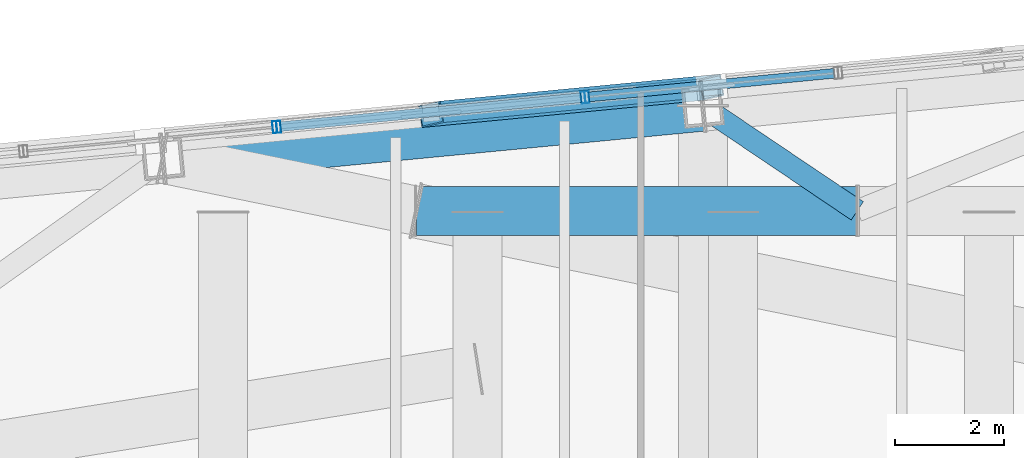
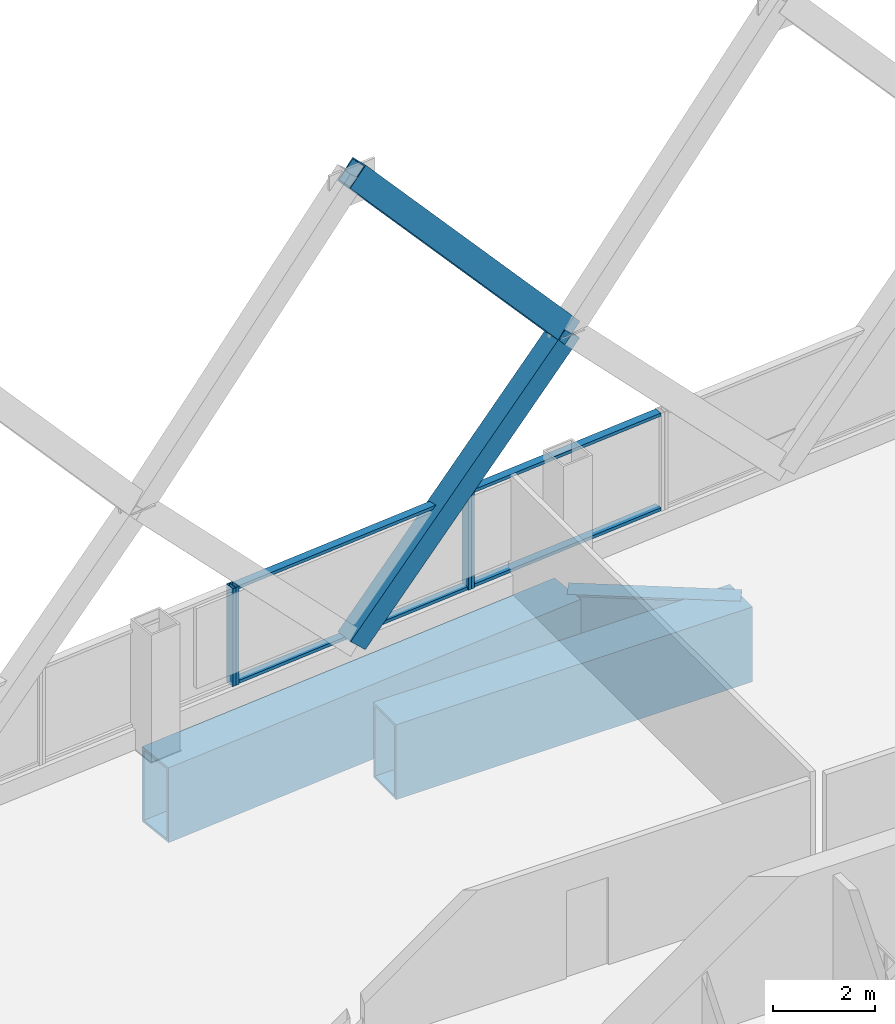
# One storey, part 24 of 37: 10 members, 3 beams, 3 elements without a shape of their own.
"""IFC4 building model written with IfcOpenShell, lengths in metres."""

from ifc_helpers import new_model, si_unit, direction, frame, origin, origin_2d, place, context, subcontext, project, spatial, hollow_rectangle, i_section, extrude, material, layer, layer_set, material_profile, profile_set, type_object, element, aggregate, save


model = new_model("IFC4")

# Units and contexts
model_context = context("Model", 3, precision=1e-05, world=origin(), true_north=direction((0.0, 1.0)))
body_context = subcontext(model_context, "Body", "Model", "MODEL_VIEW")
ifc_project = project(units=[si_unit("LENGTHUNIT", "METRE"), si_unit("AREAUNIT", "SQUARE_METRE"), si_unit("VOLUMEUNIT", "CUBIC_METRE"), si_unit("PLANEANGLEUNIT", "RADIAN"), si_unit("MASSUNIT", "GRAM", prefix="KILO")], contexts=[model_context])

# Site, building, storey
site_placement = place(None, origin())
site = spatial("IfcSite", under=ifc_project, at=site_placement, CompositionType="ELEMENT")
building_placement = place(site_placement, origin())
building = spatial("IfcBuilding", under=site, at=building_placement, Name="Qhalaya Broadcast Tower", CompositionType="ELEMENT")
storey_placement = place(building_placement, frame((0.0, 0.0, 156.14990234375)))
storey = spatial("IfcBuildingStorey", under=building, at=storey_placement, Name="L45", CompositionType="ELEMENT", Elevation=156.14990234375)

# Beams
ifc_material_1 = material(Name="Structural Steel ASTM A572 Grade 50", Category="steel")
ifc_material_profile_1 = material_profile(ifc_material_1, hollow_rectangle(XDim=0.89990234375, YDim=1.800048828125, WallThickness=0.06005859375, at=origin_2d()), Name="BOX 900x1800x60")
ifc_profile_set_1 = profile_set([ifc_material_profile_1], Name="Structural Steel ASTM A572 Grade 50")
beam_type_1 = type_object("IfcBeamType", Name="Block Cantilever Transfer Box Girder TG1", PredefinedType="USERDEFINED", material=ifc_profile_set_1)
beam_1_placement = place(storey_placement, frame((-0.558837890625, 24.572509765625, -1.119873046875), z_axis=(-0.995395510024, -0.095852900965, 0.0), x_axis=(0.095852900965, -0.995395510024, 0.0)))
element("IfcBeam", 1, at=beam_1_placement, inside=storey, type_object=beam_type_1, Name="L45 TG1 L45-SPR-10", ObjectType="GIRDER", PredefinedType="USERDEFINED", context=body_context, shape_type="SweptSolid", body=[
    extrude(hollow_rectangle(XDim=0.89990234375, YDim=1.800048828125, WallThickness=0.06005859375, at=origin_2d()), origin(), (0.0, 0.0, 1.0), 9.966552734375),
])
beam_2_placement = place(storey_placement, frame((2.280029296875, 22.659912109375, -1.119873046875), z_axis=(-1.0, 0.0, 0.0), x_axis=(0.0, -1.0, 0.0)))
element("IfcBeam", 2, at=beam_2_placement, inside=storey, type_object=beam_type_1, Name="L45 TG1 L45-TGL-10", ObjectType="GIRDER", PredefinedType="USERDEFINED", context=body_context, shape_type="SweptSolid", body=[
    extrude(hollow_rectangle(XDim=0.89990234375, YDim=1.800048828125, WallThickness=0.06005859375, at=origin_2d()), origin(), (0.0, 0.0, 1.0), 8.10009765625),
])

# Members
ifc_material_profile_2 = material_profile(ifc_material_1, hollow_rectangle(XDim=0.39990234375, YDim=0.550048828125, WallThickness=0.02490234375, at=origin_2d()), Name="BOX 400x550x25")
ifc_profile_set_2 = profile_set([ifc_material_profile_2], Name="Structural Steel ASTM A572 Grade 50")
member_type_1 = type_object("IfcMemberType", Name="Exoskeleton Diamond Diagonal Mid-High EX3", PredefinedType="BRACE", material=ifc_profile_set_2)
member_1_placement = place(storey_placement, frame((-5.5517578125, 24.433349609375, 0.360107421875), z_axis=(0.690631901239, 0.066504325889, 0.720142174594), x_axis=(-0.164115000923, 0.984197121098, 0.066500325516)))
element("IfcMember", 3, at=member_1_placement, inside=storey, type_object=member_type_1, Name="B4 Exoskeleton Diamond Brace N2-D1", PredefinedType="BRACE", context=body_context, shape_type="SweptSolid", body=[
    extrude(hollow_rectangle(XDim=0.39990234375, YDim=0.550048828125, WallThickness=0.02490234375, at=origin_2d()), origin(), (0.0, 0.0, 1.0), 7.470703125),
])
member_2_placement = place(storey_placement, frame((-0.392333984375, 24.93017578125, 5.739990234375), z_axis=(-0.659476642868, -0.06350423358, 0.749037896123), x_axis=(0.166871781183, -0.983931657235, 0.063500413668)))
element("IfcMember", 4, at=member_2_placement, inside=storey, type_object=member_type_1, Name="B4 Exoskeleton Diamond Brace N2-D3", PredefinedType="BRACE", context=body_context, shape_type="SweptSolid", body=[
    extrude(hollow_rectangle(XDim=0.39990234375, YDim=0.550048828125, WallThickness=0.02490234375, at=origin_2d()), origin(), (0.0, 0.0, 1.0), 7.823486328125),
])

# Beam
ifc_material_2 = material(Name="Structural Steel ASTM A992 Grade 50", Category="steel")
ifc_material_profile_3 = material_profile(ifc_material_2, i_section(OverallWidth=0.404052734375, OverallDepth=1.117919921875, WebThickness=0.026123046875, FlangeThickness=0.044921875, at=origin_2d()), Name="W44X335")
ifc_profile_set_3 = profile_set([ifc_material_profile_3], Name="Structural Steel ASTM A992 Grade 50")
beam_type_2 = type_object("IfcBeamType", Name="Podium Long-Span Primary Girder PG1", PredefinedType="USERDEFINED", material=ifc_profile_set_3)
beam_3_placement = place(storey_placement, frame((2.280029296875, 22.659912109375, -0.77880859375), z_axis=(-0.829341150305, 0.558742567208, 0.0), x_axis=(-0.558742567208, -0.829341150305, 0.0)))
element("IfcBeam", 5, at=beam_3_placement, inside=storey, type_object=beam_type_2, Name="L45 Column-to-Column Moment Tie Girder 10-1", ObjectType="GIRDER", PredefinedType="USERDEFINED", context=body_context, shape_type="SweptSolid", body=[
    extrude(i_section(OverallWidth=0.404052734375, OverallDepth=1.117919921875, WebThickness=0.026123046875, FlangeThickness=0.044921875, at=origin_2d()), origin(), (0.0, 0.0, 1.0), 3.423095703125),
])

# Curtain wall, member
ifc_material_3 = material(Name="Solar-Control Low-E Triple Glazing", Category="glass")
ifc_layer_1 = layer(ifc_material_3, 0.219970703125, Name="Solar-Control Low-E Triple Glazing")
ifc_layer_set_1 = layer_set([ifc_layer_1], Name="Solar-Control Low-E Triple Glazing")
curtain_wall_type_1 = type_object("IfcCurtainWallType", Name="Even-Block 4-Storey Double-Module Curtain Wall CW-03", PredefinedType="NOTDEFINED", material=ifc_layer_set_1)
curtain_wall_1_placement = place(storey_placement, origin())
curtain_wall_1 = element("IfcCurtainWall", 6, at=curtain_wall_1_placement, inside=storey, type_object=curtain_wall_type_1, Name="L45 Unitised Curtain Wall L45-CW-N2", PredefinedType="NOTDEFINED")
ifc_material_4 = material(Name="Anodised Aluminium 6063-T6", Category="aluminium")
ifc_material_profile_4 = material_profile(ifc_material_4, hollow_rectangle(XDim=0.074951171875, YDim=0.219970703125, WallThickness=0.00390625, at=origin_2d()), Name="ALU-MUL 75x220x4")
ifc_profile_set_4 = profile_set([ifc_material_profile_4], Name="Anodised Aluminium 6063-T6")
member_type_2 = type_object("IfcMemberType", Name="Unitised Curtain-Wall Mullion M01", PredefinedType="MULLION", material=ifc_profile_set_4)
member_3_placement = place(storey_placement, frame((-2.685546875, 24.74951171875, 0.47998046875), z_axis=(0.0, 0.0, 1.0), x_axis=(-0.995395888038, -0.095848975357, 0.0)))
member_3 = element("IfcMember", 7, at=member_3_placement, type_object=member_type_2, Name="CW-03 mullion 2", PredefinedType="MULLION", context=body_context, shape_type="SweptSolid", body=[
    extrude(hollow_rectangle(XDim=0.074951171875, YDim=0.219970703125, WallThickness=0.00390625, at=origin_2d()), origin(), (0.0, 0.0, 1.0), 2.35009765625),
])

# Curtain wall, members
ifc_material_5 = material(Name="Fired Architectural Terracotta", Category="masonry")
ifc_layer_2 = layer(ifc_material_5, 0.219970703125, Name="Fired Architectural Terracotta")
ifc_layer_set_2 = layer_set([ifc_layer_2], Name="Fired Architectural Terracotta")
curtain_wall_type_2 = type_object("IfcCurtainWallType", Name="Block-Cap Unitised Terracotta Spandrel Wall CW-07", PredefinedType="NOTDEFINED", material=ifc_layer_set_2)
curtain_wall_2_placement = place(storey_placement, origin())
curtain_wall_2 = element("IfcCurtainWall", 8, at=curtain_wall_2_placement, inside=storey, type_object=curtain_wall_type_2, Name="L45 Unitised Curtain Wall L45-CW-N3", PredefinedType="NOTDEFINED")
member_4_placement = place(storey_placement, frame((-2.760009765625, 24.742431640625, 0.47998046875), z_axis=(0.0, 0.0, 1.0), x_axis=(-0.995395435525, -0.095853674613, 0.0)))
member_4 = element("IfcMember", 9, at=member_4_placement, type_object=member_type_2, Name="CW-07 mullion 1", PredefinedType="MULLION", context=body_context, shape_type="SweptSolid", body=[
    extrude(hollow_rectangle(XDim=0.074951171875, YDim=0.219970703125, WallThickness=0.00390625, at=origin_2d()), origin(), (0.0, 0.0, 1.0), 2.35009765625),
])
member_5_placement = place(storey_placement, frame((-8.351318359375, 24.2041015625, 0.47998046875), z_axis=(0.0, 0.0, 1.0), x_axis=(-0.995395435525, -0.095853674613, 0.0)))
member_5 = element("IfcMember", 10, at=member_5_placement, type_object=member_type_2, Name="CW-07 mullion 2", PredefinedType="MULLION", context=body_context, shape_type="SweptSolid", body=[
    extrude(hollow_rectangle(XDim=0.074951171875, YDim=0.219970703125, WallThickness=0.00390625, at=origin_2d()), origin(), (0.0, 0.0, 1.0), 2.35009765625),
])

# Curtain wall, member
curtain_wall_3_placement = place(storey_placement, origin())
curtain_wall_3 = element("IfcCurtainWall", 11, at=curtain_wall_3_placement, inside=storey, type_object=curtain_wall_type_1, Name="L45 Unitised Curtain Wall L45-CW-N4", PredefinedType="NOTDEFINED")
member_6_placement = place(storey_placement, frame((-8.426025390625, 24.19677734375, 0.47998046875), z_axis=(0.0, 0.0, 1.0), x_axis=(-0.995395691478, -0.095851016624, 0.0)))
member_6 = element("IfcMember", 12, at=member_6_placement, type_object=member_type_2, Name="CW-03 mullion 1", PredefinedType="MULLION", context=body_context, shape_type="SweptSolid", body=[
    extrude(hollow_rectangle(XDim=0.074951171875, YDim=0.219970703125, WallThickness=0.00390625, at=origin_2d()), origin(), (0.0, 0.0, 1.0), 2.35009765625),
])
aggregate(curtain_wall_3, [member_6])

# Member
ifc_material_profile_5 = material_profile(ifc_material_4, hollow_rectangle(XDim=0.074951171875, YDim=0.179931640625, WallThickness=0.00390625, at=origin_2d()), Name="ALU-TRN 75x180x4")
ifc_profile_set_5 = profile_set([ifc_material_profile_5], Name="Anodised Aluminium 6063-T6")
member_type_3 = type_object("IfcMemberType", Name="Unitised Curtain-Wall Transom T01", PredefinedType="USERDEFINED", material=ifc_profile_set_5)
member_7_placement = place(storey_placement, frame((1.85498046875, 25.186767578125, 0.517578125), z_axis=(-0.995396463484, -0.095842999141, 0.0), x_axis=(0.0, 0.0, 1.0)))
member_7 = element("IfcMember", 13, at=member_7_placement, type_object=member_type_3, Name="CW-03 transom 1.1", ObjectType="TRANSOM", PredefinedType="USERDEFINED", context=body_context, shape_type="SweptSolid", body=[
    extrude(hollow_rectangle(XDim=0.074951171875, YDim=0.179931640625, WallThickness=0.00390625, at=origin_2d()), origin(), (0.0, 0.0, 1.0), 4.52392578125),
])

member_8_placement = place(storey_placement, frame((1.85498046875, 25.186767578125, 2.79248046875), z_axis=(-0.995396463484, -0.095842999141, 0.0), x_axis=(0.0, 0.0, 1.0)))
member_8 = element("IfcMember", 14, at=member_8_placement, type_object=member_type_3, Name="CW-03 transom 1.2", ObjectType="TRANSOM", PredefinedType="USERDEFINED", context=body_context, shape_type="SweptSolid", body=[
    extrude(hollow_rectangle(XDim=0.074951171875, YDim=0.179931640625, WallThickness=0.00390625, at=origin_2d()), origin(), (0.0, 0.0, 1.0), 4.52392578125),
])

aggregate(curtain_wall_1, [member_3, member_7, member_8])

member_9_placement = place(storey_placement, frame((-2.79736328125, 24.73876953125, 0.517578125), z_axis=(-0.995395136412, -0.095856780706, 0.0), x_axis=(0.0, 0.0, 1.0)))
member_9 = element("IfcMember", 15, at=member_9_placement, type_object=member_type_3, Name="CW-07 transom 1.1", ObjectType="TRANSOM", PredefinedType="USERDEFINED", context=body_context, shape_type="SweptSolid", body=[
    extrude(hollow_rectangle(XDim=0.074951171875, YDim=0.179931640625, WallThickness=0.00390625, at=origin_2d()), origin(), (0.0, 0.0, 1.0), 5.542236328125),
])

member_10_placement = place(storey_placement, frame((-2.79736328125, 24.73876953125, 2.79248046875), z_axis=(-0.995395136412, -0.095856780706, 0.0), x_axis=(0.0, 0.0, 1.0)))
member_10 = element("IfcMember", 16, at=member_10_placement, type_object=member_type_3, Name="CW-07 transom 1.2", ObjectType="TRANSOM", PredefinedType="USERDEFINED", context=body_context, shape_type="SweptSolid", body=[
    extrude(hollow_rectangle(XDim=0.074951171875, YDim=0.179931640625, WallThickness=0.00390625, at=origin_2d()), origin(), (0.0, 0.0, 1.0), 5.542236328125),
])

aggregate(curtain_wall_2, [member_4, member_5, member_9, member_10])

save(model, "model.ifc")
